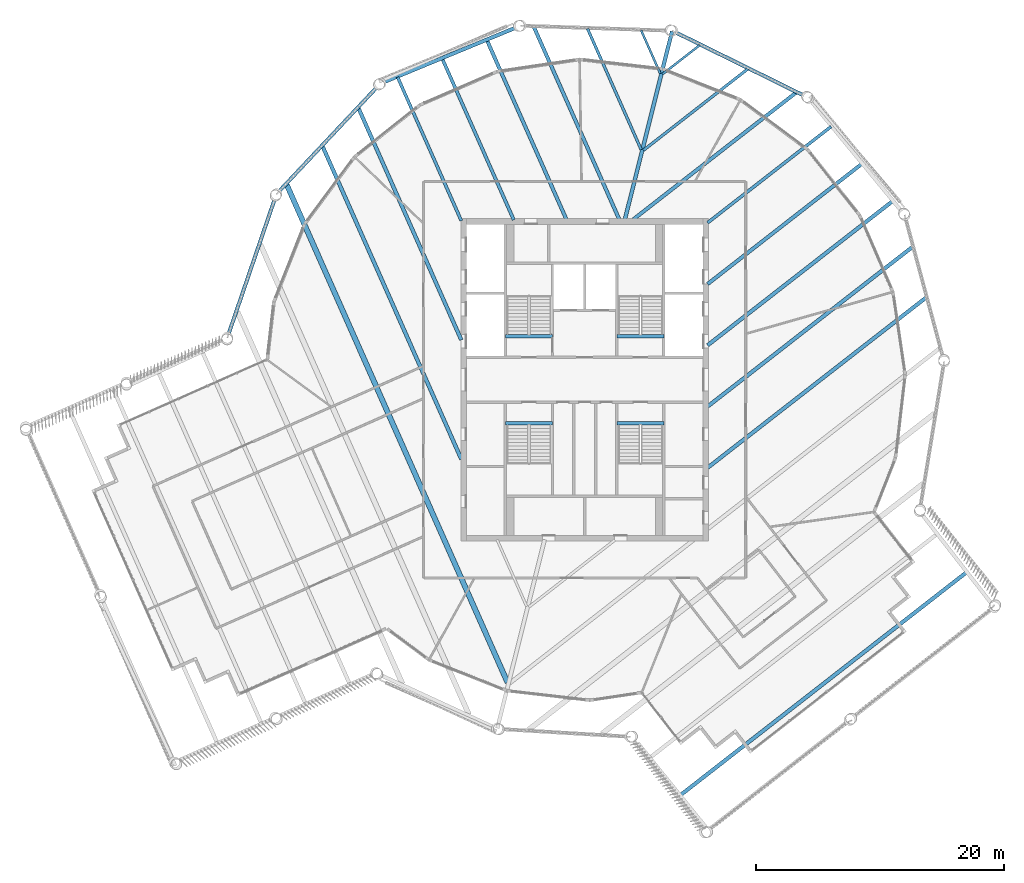
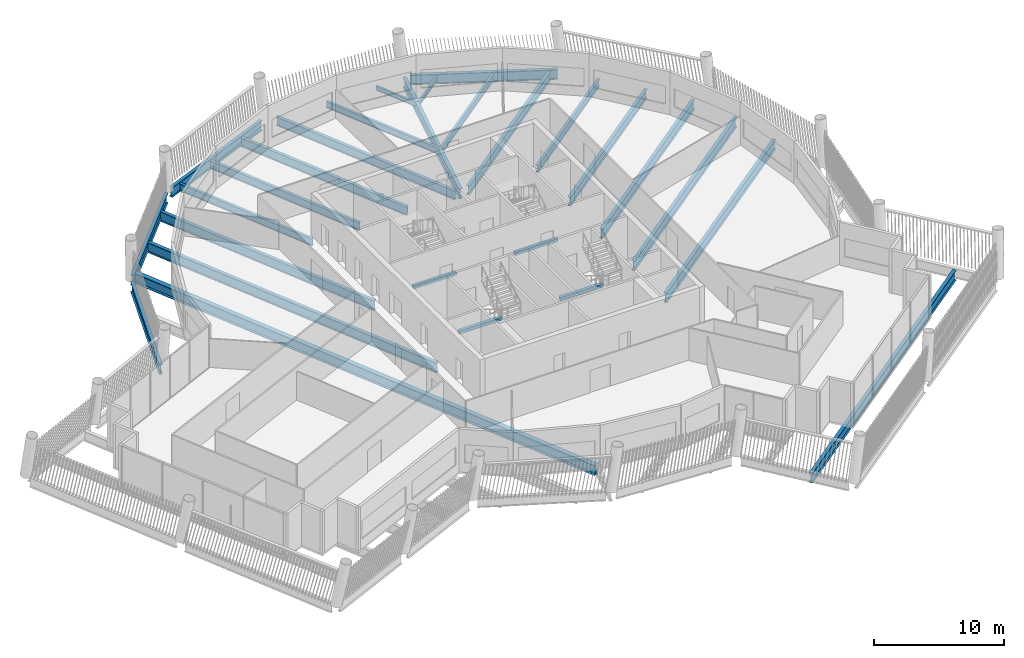
# One storey, part 14 of 28: 27 beams.
"""IFC4 building model written with IfcOpenShell, lengths in metres."""

from ifc_helpers import new_model, si_unit, direction, frame, origin, origin_2d, place, context, subcontext, project, spatial, rectangle, i_section, extrude, material, material_profile, profile_set, type_object, element, save


model = new_model("IFC4")

# Units and contexts
model_context = context("Model", 3, precision=1e-05, world=origin(), true_north=direction((0.0, 1.0)))
body_context = subcontext(model_context, "Body", "Model", "MODEL_VIEW")
ifc_project = project(units=[si_unit("LENGTHUNIT", "METRE"), si_unit("AREAUNIT", "SQUARE_METRE"), si_unit("VOLUMEUNIT", "CUBIC_METRE"), si_unit("PLANEANGLEUNIT", "RADIAN"), si_unit("MASSUNIT", "GRAM", prefix="KILO")], contexts=[model_context])

# Site, building, storey
site_placement = place(None, origin())
site = spatial("IfcSite", under=ifc_project, at=site_placement, CompositionType="ELEMENT")
building_placement = place(site_placement, origin())
building = spatial("IfcBuilding", under=site, at=building_placement, Name="Tarsis Ring Headquarters", CompositionType="ELEMENT")
storey_placement = place(building_placement, frame((0.0, 0.0, 381.800048828125)))
storey = spatial("IfcBuildingStorey", under=building, at=storey_placement, Name="L90", CompositionType="ELEMENT", Elevation=381.800048828125)

# Beams
ifc_material_1 = material(Name="Structural steel S355", Category="steel")
ifc_material_profile_1 = material_profile(ifc_material_1, i_section(OverallWidth=0.177734375, OverallDepth=0.406494140625, WebThickness=0.0078125, FlangeThickness=0.0126953125, at=origin_2d()), Name="W16x40")
ifc_profile_set_1 = profile_set([ifc_material_profile_1], Name="Structural steel S355")
beam_type_1 = type_object("IfcBeamType", Name="FB Floor beam W16x40", PredefinedType="JOIST", material=ifc_profile_set_1)
for number, where, z_axis, x_axis, name in (
    (1, (6.283935546875, 24.670654296875, -0.36328125), (0.788903219602, 0.614517461185, 0.0), (-0.614517461185, 0.788903219602, 0.0), "Floor beam FB1"),
    (2, (4.558837890625, 28.197021484375, -0.36328125), (0.405448313226, -0.914117971217, 0.0), (0.914117971217, 0.405448313226, 0.0), "Floor beam FB1"),
):
    element("IfcBeam", number, at=place(storey_placement, frame(where, z_axis=z_axis, x_axis=x_axis)), inside=storey, type_object=beam_type_1, Name=name, PredefinedType="JOIST", context=body_context, shape_type="SweptSolid", body=[
        extrude(i_section(OverallWidth=0.177734375, OverallDepth=0.406494140625, WebThickness=0.0078125, FlangeThickness=0.0126953125, at=origin_2d()), origin(), (0.0, 0.0, 1.0), 3.80810546875),
    ])
ifc_material_profile_2 = material_profile(ifc_material_1, i_section(OverallWidth=0.228271484375, OverallDepth=0.607177734375, WebThickness=0.01123046875, FlangeThickness=0.017333984375, at=origin_2d()), Name="W24x76")
ifc_profile_set_2 = profile_set([ifc_material_profile_2], Name="Structural steel S355")
beam_type_2 = type_object("IfcBeamType", Name="FB Floor beam W24x76", PredefinedType="JOIST", material=ifc_profile_set_2)
for number, where, z_axis, x_axis, name in (
    (3, (4.742919921875, 18.526123046875, -0.463623046875), (0.788853794001, 0.614580907359, 0.0), (-0.614580907359, 0.788853794001, 0.0), "Floor beam FB4"),
    (4, (0.228271484375, 28.34130859375, -0.463623046875), (0.405472834179, -0.914107094789, 0.0), (0.914107094789, 0.405472834179, 0.0), "Floor beam FB4"),
):
    element("IfcBeam", number, at=place(storey_placement, frame(where, z_axis=z_axis, x_axis=x_axis)), inside=storey, type_object=beam_type_2, Name=name, PredefinedType="JOIST", context=body_context, shape_type="SweptSolid", body=[
        extrude(i_section(OverallWidth=0.228271484375, OverallDepth=0.607177734375, WebThickness=0.01123046875, FlangeThickness=0.017333984375, at=origin_2d()), origin(), (0.0, 0.0, 1.0), 10.6875),
    ])
ifc_material_profile_3 = material_profile(ifc_material_1, i_section(OverallWidth=0.2529296875, OverallDepth=0.67822265625, WebThickness=0.01171875, FlangeThickness=0.016357421875, at=origin_2d()), Name="W27x84")
ifc_profile_set_3 = profile_set([ifc_material_profile_3], Name="Structural steel S355")
beam_type_3 = type_object("IfcBeamType", Name="FB Floor beam W27x84", PredefinedType="JOIST", material=ifc_profile_set_3)
beam_1_placement = place(storey_placement, frame((9.921142578125, 12.672607421875, -0.499267578125), z_axis=(0.788867192243, 0.614563709474, 0.0), x_axis=(-0.614563709474, 0.788867192243, 0.0)))
element("IfcBeam", 5, at=beam_1_placement, inside=storey, type_object=beam_type_3, Name="Floor beam FB5", PredefinedType="JOIST", context=body_context, shape_type="SweptSolid", body=[
    extrude(i_section(OverallWidth=0.2529296875, OverallDepth=0.67822265625, WebThickness=0.01171875, FlangeThickness=0.016357421875, at=origin_2d()), origin(), (0.0, 0.0, 1.0), 12.63671875),
])
beam_2_placement = place(storey_placement, frame((-15.10205078125, 24.4287109375, -0.499267578125), z_axis=(0.405466814526, -0.914109764918, 0.0), x_axis=(0.914109764918, 0.405466814526, 0.0)))
element("IfcBeam", 6, at=beam_2_placement, inside=storey, type_object=beam_type_3, Name="Floor beam FB5", PredefinedType="JOIST", context=body_context, shape_type="SweptSolid", body=[
    extrude(i_section(OverallWidth=0.2529296875, OverallDepth=0.67822265625, WebThickness=0.01171875, FlangeThickness=0.016357421875, at=origin_2d()), origin(), (0.0, 0.0, 1.0), 12.68310546875),
])
ifc_material_profile_4 = material_profile(ifc_material_1, i_section(OverallWidth=0.2666015625, OverallDepth=0.7568359375, WebThickness=0.013916015625, FlangeThickness=0.019287109375, at=origin_2d()), Name="W30x108")
ifc_profile_set_4 = profile_set([ifc_material_profile_4], Name="Structural steel S355")
beam_type_4 = type_object("IfcBeamType", Name="FB Floor beam W30x108", PredefinedType="JOIST", material=ifc_profile_set_4)
beam_3_placement = place(storey_placement, frame((-11.495849609375, 25.91748046875, -0.53857421875), z_axis=(0.405468234503, -0.914109135065, 0.0), x_axis=(0.914109135065, 0.405468234503, 0.0)))
element("IfcBeam", 7, at=beam_3_placement, inside=storey, type_object=beam_type_4, Name="Floor beam FB6", PredefinedType="JOIST", context=body_context, shape_type="SweptSolid", body=[
    extrude(i_section(OverallWidth=0.2666015625, OverallDepth=0.7568359375, WebThickness=0.013916015625, FlangeThickness=0.019287109375, at=origin_2d()), origin(), (0.0, 0.0, 1.0), 14.231201171875),
])
ifc_material_profile_5 = material_profile(ifc_material_1, i_section(OverallWidth=0.2919921875, OverallDepth=0.835693359375, WebThickness=0.013916015625, FlangeThickness=0.018798828125, at=origin_2d()), Name="W33x118")
ifc_profile_set_5 = profile_set([ifc_material_profile_5], Name="Structural steel S355")
beam_type_5 = type_object("IfcBeamType", Name="FB Floor beam W33x118", PredefinedType="JOIST", material=ifc_profile_set_5)
beam_4_placement = place(storey_placement, frame((3.916259765625, 12.9384765625, -0.577880859375), z_axis=(0.788865147622, 0.614566333985, 0.0), x_axis=(-0.614566333985, 0.788865147622, 0.0)))
element("IfcBeam", 8, at=beam_4_placement, inside=storey, type_object=beam_type_5, Name="Floor beam FB7", PredefinedType="JOIST", context=body_context, shape_type="SweptSolid", body=[
    extrude(i_section(OverallWidth=0.2919921875, OverallDepth=0.835693359375, WebThickness=0.013916015625, FlangeThickness=0.018798828125, at=origin_2d()), origin(), (0.0, 0.0, 1.0), 16.661376953125),
])
beam_5_placement = place(storey_placement, frame((9.921142578125, 7.72900390625, -0.577880859375), z_axis=(0.788872001877, 0.614557535675, 0.0), x_axis=(-0.614557535675, 0.788872001877, 0.0)))
element("IfcBeam", 9, at=beam_5_placement, inside=storey, type_object=beam_type_5, Name="Floor beam FB7", PredefinedType="JOIST", context=body_context, shape_type="SweptSolid", body=[
    extrude(i_section(OverallWidth=0.2919921875, OverallDepth=0.835693359375, WebThickness=0.013916015625, FlangeThickness=0.018798828125, at=origin_2d()), origin(), (0.0, 0.0, 1.0), 15.776123046875),
])
beam_6_placement = place(storey_placement, frame((-4.10205078125, 28.485595703125, -0.577880859375), z_axis=(0.405457740941, -0.914113789586, 0.0), x_axis=(0.914113789586, 0.405457740941, 0.0)))
element("IfcBeam", 10, at=beam_6_placement, inside=storey, type_object=beam_type_5, Name="Floor beam FB7", PredefinedType="JOIST", context=body_context, shape_type="SweptSolid", body=[
    extrude(i_section(OverallWidth=0.2919921875, OverallDepth=0.835693359375, WebThickness=0.013916015625, FlangeThickness=0.018798828125, at=origin_2d()), origin(), (0.0, 0.0, 1.0), 17.04052734375),
])
beam_7_placement = place(storey_placement, frame((-7.889892578125, 27.40625, -0.577880859375), z_axis=(0.405469921907, -0.914108386587, 0.0), x_axis=(0.914108386587, 0.405469921907, 0.0)))
element("IfcBeam", 11, at=beam_7_placement, inside=storey, type_object=beam_type_5, Name="Floor beam FB7", PredefinedType="JOIST", context=body_context, shape_type="SweptSolid", body=[
    extrude(i_section(OverallWidth=0.2919921875, OverallDepth=0.835693359375, WebThickness=0.013916015625, FlangeThickness=0.018798828125, at=origin_2d()), origin(), (0.0, 0.0, 1.0), 15.85986328125),
])
ifc_material_profile_6 = material_profile(ifc_material_1, i_section(OverallWidth=0.3046875, OverallDepth=0.904296875, WebThickness=0.01513671875, FlangeThickness=0.02001953125, at=origin_2d()), Name="W36x135")
ifc_profile_set_6 = profile_set([ifc_material_profile_6], Name="Structural steel S355")
beam_type_6 = type_object("IfcBeamType", Name="FB Floor beam W36x135", PredefinedType="JOIST", material=ifc_profile_set_6)
beam_8_placement = place(storey_placement, frame((9.921142578125, 2.78515625, -0.612060546875), z_axis=(0.788873832317, 0.614555186037, 0.0), x_axis=(-0.614555186037, 0.788873832317, 0.0)))
element("IfcBeam", 12, at=beam_8_placement, inside=storey, type_object=beam_type_6, Name="Floor beam FB8", PredefinedType="JOIST", context=body_context, shape_type="SweptSolid", body=[
    extrude(i_section(OverallWidth=0.3046875, OverallDepth=0.904296875, WebThickness=0.01513671875, FlangeThickness=0.02001953125, at=origin_2d()), origin(), (0.0, 0.0, 1.0), 18.915771484375),
])
beam_9_placement = place(storey_placement, frame((9.921142578125, -2.15869140625, -0.612060546875), z_axis=(0.788867826416, 0.614562895435, 0.0), x_axis=(-0.614562895435, 0.788867826416, 0.0)))
element("IfcBeam", 13, at=beam_9_placement, inside=storey, type_object=beam_type_6, Name="Floor beam FB8", PredefinedType="JOIST", context=body_context, shape_type="SweptSolid", body=[
    extrude(i_section(OverallWidth=0.3046875, OverallDepth=0.904296875, WebThickness=0.01513671875, FlangeThickness=0.02001953125, at=origin_2d()), origin(), (0.0, 0.0, 1.0), 20.962158203125),
])
beam_10_placement = place(storey_placement, frame((-18.264892578125, 21.940673828125, -0.612060546875), z_axis=(0.405464883403, -0.914110621493, 0.0), x_axis=(0.914110621493, 0.405464883403, 0.0)))
element("IfcBeam", 14, at=beam_10_placement, inside=storey, type_object=beam_type_6, Name="Floor beam FB8", PredefinedType="JOIST", context=body_context, shape_type="SweptSolid", body=[
    extrude(i_section(OverallWidth=0.3046875, OverallDepth=0.904296875, WebThickness=0.01513671875, FlangeThickness=0.02001953125, at=origin_2d()), origin(), (0.0, 0.0, 1.0), 20.483642578125),
])
ifc_material_profile_7 = material_profile(ifc_material_1, i_section(OverallWidth=0.3046875, OverallDepth=0.91943359375, WebThickness=0.017333984375, FlangeThickness=0.02783203125, at=origin_2d()), Name="W36x170")
ifc_profile_set_7 = profile_set([ifc_material_profile_7], Name="Structural steel S355")
beam_type_7 = type_object("IfcBeamType", Name="FB Floor beam W36x170", PredefinedType="JOIST", material=ifc_profile_set_7)
beam_11_placement = place(storey_placement, frame((9.921142578125, -7.102294921875, -0.619873046875), z_axis=(0.788870971596, 0.614558858185, 0.0), x_axis=(-0.614558858185, 0.788870971596, 0.0)))
element("IfcBeam", 15, at=beam_11_placement, inside=storey, type_object=beam_type_7, Name="Floor beam FB9", PredefinedType="JOIST", context=body_context, shape_type="SweptSolid", body=[
    extrude(i_section(OverallWidth=0.3046875, OverallDepth=0.91943359375, WebThickness=0.017333984375, FlangeThickness=0.02783203125, at=origin_2d()), origin(), (0.0, 0.0, 1.0), 22.356201171875),
])
ifc_material_profile_8 = material_profile(ifc_material_1, i_section(OverallWidth=0.309814453125, OverallDepth=0.949951171875, WebThickness=0.0244140625, FlangeThickness=0.0439453125, at=origin_2d()), Name="W36x256")
ifc_profile_set_8 = profile_set([ifc_material_profile_8], Name="Structural steel S355")
beam_type_8 = type_object("IfcBeamType", Name="FB Floor beam W36x256", PredefinedType="JOIST", material=ifc_profile_set_8)
beam_12_placement = place(storey_placement, frame((7.540283203125, -33.676025390625, -0.635009765625), z_axis=(0.788867049346, 0.6145638929, 0.0), x_axis=(-0.6145638929, 0.788867049346, 0.0)))
element("IfcBeam", 16, at=beam_12_placement, inside=storey, type_object=beam_type_8, Name="Floor beam FB11", PredefinedType="JOIST", context=body_context, shape_type="SweptSolid", body=[
    extrude(i_section(OverallWidth=0.309814453125, OverallDepth=0.949951171875, WebThickness=0.0244140625, FlangeThickness=0.0439453125, at=origin_2d()), origin(), (0.0, 0.0, 1.0), 29.4951171875),
])
beam_13_placement = place(storey_placement, frame((-21.163330078125, 18.856689453125, -0.635009765625), z_axis=(0.405462042336, -0.914111881678, 0.0), x_axis=(0.914111881678, 0.405462042336, 0.0)))
element("IfcBeam", 17, at=beam_13_placement, inside=storey, type_object=beam_type_8, Name="Floor beam FB11", PredefinedType="JOIST", context=body_context, shape_type="SweptSolid", body=[
    extrude(i_section(OverallWidth=0.309814453125, OverallDepth=0.949951171875, WebThickness=0.0244140625, FlangeThickness=0.0439453125, at=origin_2d()), origin(), (0.0, 0.0, 1.0), 27.63232421875),
])
beam_type_9 = type_object("IfcBeamType", Name="FB Floor beam W36x256 spine", PredefinedType="BEAM", material=ifc_profile_set_8)
beam_14_placement = place(storey_placement, frame((7.05322265625, 28.12158203125, -0.635009765625), z_axis=(-0.243271471182, -0.969958242044, 0.0), x_axis=(0.969958242044, -0.243271471182, 0.0)))
element("IfcBeam", 18, at=beam_14_placement, inside=storey, type_object=beam_type_9, Name="Floor beam SB11", PredefinedType="BEAM", context=body_context, shape_type="SweptSolid", body=[
    extrude(i_section(OverallWidth=0.309814453125, OverallDepth=0.949951171875, WebThickness=0.0244140625, FlangeThickness=0.0439453125, at=origin_2d()), origin(), (0.0, 0.0, 1.0), 15.68994140625),
])
ifc_material_profile_9 = material_profile(ifc_material_1, i_section(OverallWidth=0.42431640625, OverallDepth=0.947509765625, WebThickness=0.02392578125, FlangeThickness=0.042724609375, at=origin_2d()), Name="W36x302")
ifc_profile_set_9 = profile_set([ifc_material_profile_9], Name="Structural steel S355")
beam_type_10 = type_object("IfcBeamType", Name="FB Floor beam W36x302", PredefinedType="JOIST", material=ifc_profile_set_9)
beam_15_placement = place(storey_placement, frame((-24.061767578125, 15.772705078125, -0.6337890625), z_axis=(0.405458625383, -0.914113397289, 0.0), x_axis=(0.914113397289, 0.405458625383, 0.0)))
element("IfcBeam", 19, at=beam_15_placement, inside=storey, type_object=beam_type_10, Name="Floor beam FB12", PredefinedType="JOIST", context=body_context, shape_type="SweptSolid", body=[
    extrude(i_section(OverallWidth=0.42431640625, OverallDepth=0.947509765625, WebThickness=0.02392578125, FlangeThickness=0.042724609375, at=origin_2d()), origin(), (0.0, 0.0, 1.0), 43.989501953125),
])
ifc_material_2 = material(Name="Concrete C40/50", Category="concrete")
ifc_material_profile_10 = material_profile(ifc_material_2, rectangle(XDim=0.300048828125, YDim=0.300048828125, at=origin_2d()), Name="Stair head beam 300x300 C40/50")
ifc_profile_set_10 = profile_set([ifc_material_profile_10], Name="Concrete C40/50")
beam_type_11 = type_object("IfcBeamType", Name="Stair head beam 300x300 C40/50", PredefinedType="BEAM", material=ifc_profile_set_10)
for number, where, z_axis, x_axis, name in (
    (20, (-6.39990234375, 3.510009765625, -0.31005859375), (1.0, 0.0, 0.0), (0.0, 1.0, 0.0), "Stair head beam L90 Firefighting stair"),
    (21, (2.60009765625, 3.510009765625, -0.31005859375), (1.0, 0.0, 0.0), (0.0, 1.0, 0.0), "Stair head beam L90 Exit stair B"),
    (22, (-6.39990234375, -3.510009765625, -0.31005859375), (1.0, 0.0, 0.0), (0.0, 1.0, 0.0), "Stair head beam L90 Exit stair C"),
    (23, (2.60009765625, -3.510009765625, -0.31005859375), (1.0, 0.0, 0.0), (0.0, 1.0, 0.0), "Stair head beam L90 Exit stair D"),
):
    element("IfcBeam", number, at=place(storey_placement, frame(where, z_axis=z_axis, x_axis=x_axis)), inside=storey, type_object=beam_type_11, Name=name, PredefinedType="BEAM", context=body_context, shape_type="SweptSolid", body=[
        extrude(rectangle(XDim=0.300048828125, YDim=0.300048828125, at=origin_2d()), origin(), (0.0, 0.0, 1.0), 3.7998046875),
    ])
beam_type_12 = type_object("IfcBeamType", Name="XG Ring girder W36x170", PredefinedType="BEAM", material=ifc_profile_set_7)
beam_16_placement = place(storey_placement, frame((17.683349609375, 22.93994140625, -0.459716796875), z_axis=(-0.896858214499, 0.442318146909, 0.0), x_axis=(-0.442318146909, -0.896858214499, 0.0)))
element("IfcBeam", 24, at=beam_16_placement, inside=storey, type_object=beam_type_12, Name="Ring girder XG4", PredefinedType="BEAM", context=body_context, shape_type="SweptSolid", body=[
    extrude(i_section(OverallWidth=0.3046875, OverallDepth=0.91943359375, WebThickness=0.017333984375, FlangeThickness=0.02783203125, at=origin_2d()), origin(), (0.0, 0.0, 1.0), 11.426025390625),
])
beam_17_placement = place(storey_placement, frame((-5.5556640625, 28.4267578125, -0.459716796875), z_axis=(-0.924317470761, -0.381624440053, 0.0), x_axis=(0.381624440053, -0.924317470761, 0.0)))
element("IfcBeam", 25, at=beam_17_placement, inside=storey, type_object=beam_type_12, Name="Ring girder XG4", PredefinedType="BEAM", context=body_context, shape_type="SweptSolid", body=[
    extrude(i_section(OverallWidth=0.3046875, OverallDepth=0.91943359375, WebThickness=0.017333984375, FlangeThickness=0.02783203125, at=origin_2d()), origin(), (0.0, 0.0, 1.0), 11.42578125),
])
beam_18_placement = place(storey_placement, frame((-16.77880859375, 23.609619140625, -0.459716796875), z_axis=(-0.684855330169, -0.728679062921, 0.0), x_axis=(0.728679062921, -0.684855330169, 0.0)))
element("IfcBeam", 26, at=beam_18_placement, inside=storey, type_object=beam_type_12, Name="Ring girder XG4", PredefinedType="BEAM", context=body_context, shape_type="SweptSolid", body=[
    extrude(i_section(OverallWidth=0.3046875, OverallDepth=0.91943359375, WebThickness=0.017333984375, FlangeThickness=0.02783203125, at=origin_2d()), origin(), (0.0, 0.0, 1.0), 11.426025390625),
])
beam_19_placement = place(storey_placement, frame((-25.018798828125, 14.594482421875, -0.459716796875), z_axis=(-0.323609149802, -0.946190846587, 0.0), x_axis=(0.946190846587, -0.323609149802, 0.0)))
element("IfcBeam", 27, at=beam_19_placement, inside=storey, type_object=beam_type_12, Name="Ring girder XG4", PredefinedType="BEAM", context=body_context, shape_type="SweptSolid", body=[
    extrude(i_section(OverallWidth=0.3046875, OverallDepth=0.91943359375, WebThickness=0.017333984375, FlangeThickness=0.02783203125, at=origin_2d()), origin(), (0.0, 0.0, 1.0), 11.42578125),
])

save(model, "model.ifc")
